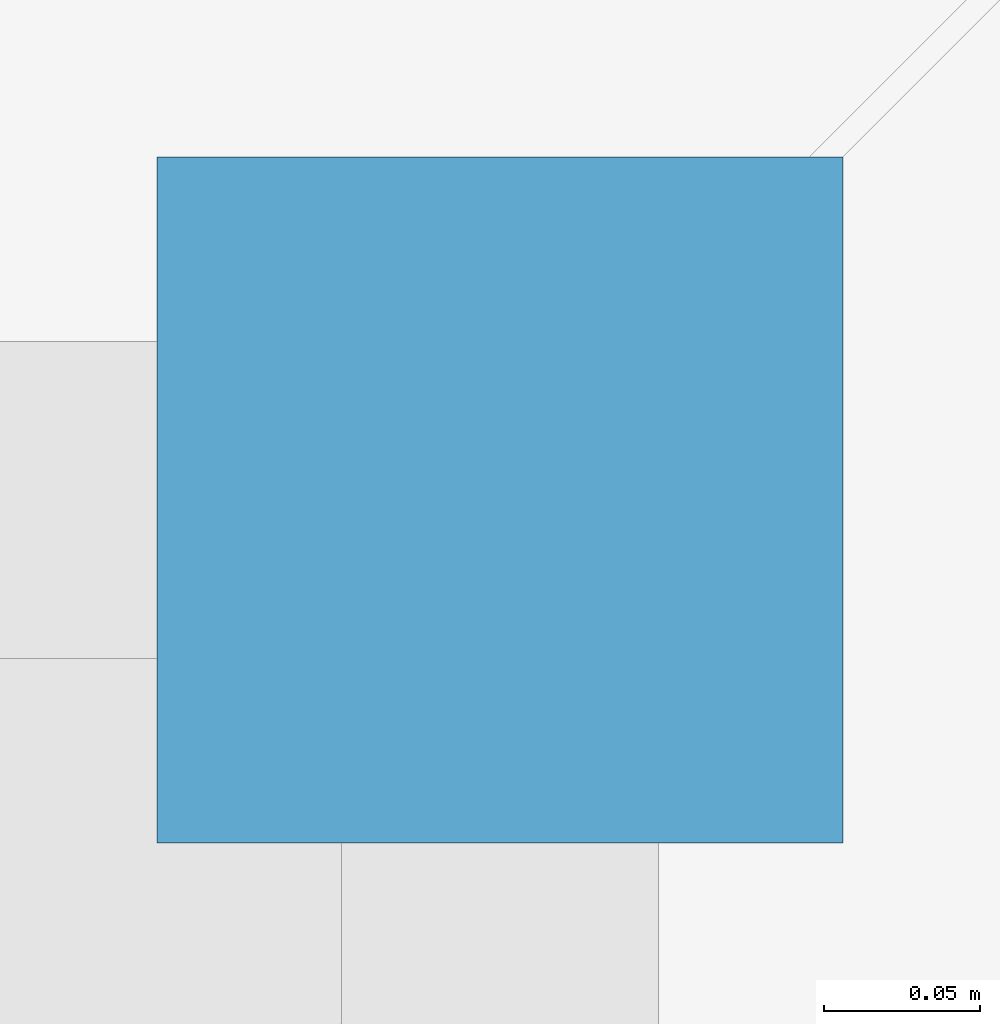
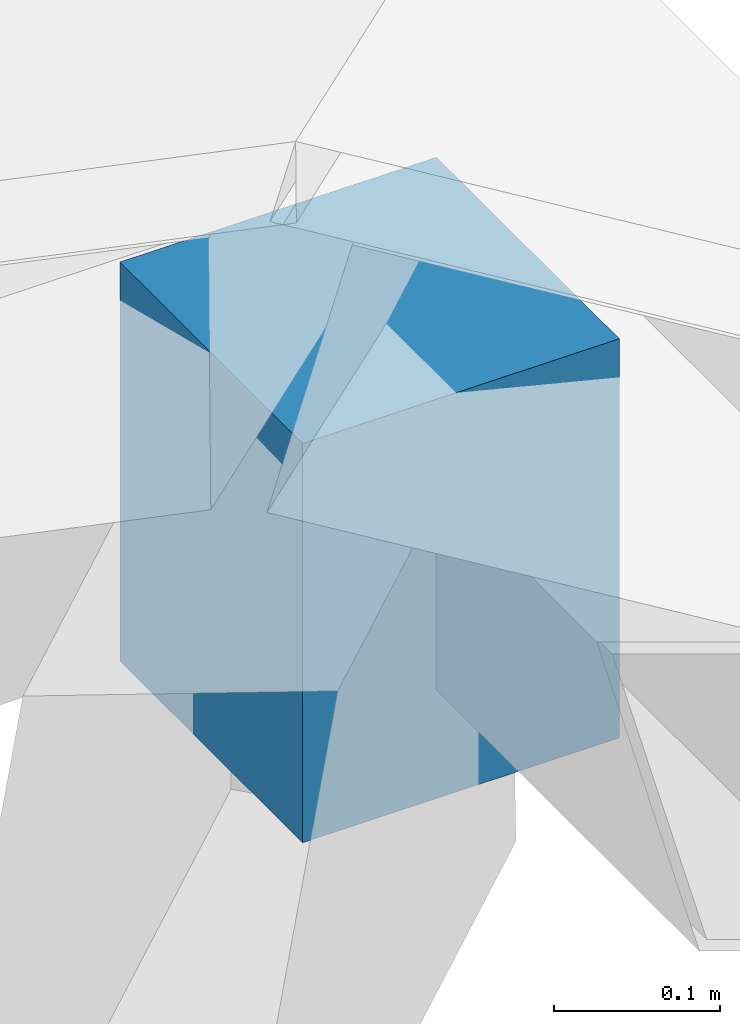
# One storey, part 47 of 51: 1 discrete accessory.
"""IFC4 building model written with IfcOpenShell, lengths in metres."""

from ifc_helpers import new_model, si_unit, direction, frame, origin, origin_2d, place, context, subcontext, project, spatial, rectangle, extrude, material, type_object, element, save


model = new_model("IFC4")

# Units and contexts
model_context = context("Model", 3, precision=1e-05, world=origin(), true_north=direction((0.0, 1.0)))
body_context = subcontext(model_context, "Body", "Model", "MODEL_VIEW")
ifc_project = project(units=[si_unit("LENGTHUNIT", "METRE"), si_unit("AREAUNIT", "SQUARE_METRE"), si_unit("VOLUMEUNIT", "CUBIC_METRE"), si_unit("PLANEANGLEUNIT", "RADIAN"), si_unit("MASSUNIT", "GRAM", prefix="KILO")], contexts=[model_context])

# Site, building, storey
site_placement = place(None, origin())
site = spatial("IfcSite", under=ifc_project, at=site_placement, CompositionType="ELEMENT")
building_placement = place(site_placement, origin())
building = spatial("IfcBuilding", under=site, at=building_placement, Name="Steenspoor Specialist Clinic", CompositionType="ELEMENT")
storey_placement = place(building_placement, frame((0.0, 0.0, 17.39990234375)))
storey = spatial("IfcBuildingStorey", under=building, at=storey_placement, Name="L04", CompositionType="ELEMENT", Elevation=17.39990234375)

# Discrete accessory
ifc_material = material(Name="Galvanised steel mounting bracket", Category="steel")
discrete_accessory_type = type_object("IfcDiscreteAccessoryType", Name="ACC-BRACKET-FIN", PredefinedType="BRACKET", material=ifc_material)
discrete_accessory_placement = place(storey_placement, frame((150.10009765625, 111.35009765625, -0.39794921875), z_axis=(0.0, 0.0, 1.0), x_axis=(1.0, 0.0, 0.0)))
element("IfcDiscreteAccessory", 1, at=discrete_accessory_placement, inside=storey, type_object=discrete_accessory_type, Name="Eave Corner Hip Bracket 349", PredefinedType="BRACKET", context=body_context, shape_type="SweptSolid", body=[
    extrude(rectangle(XDim=0.219970703125, YDim=0.219970703125, at=origin_2d()), origin(), (0.0, 0.0, 1.0), 0.293212890625),
])

save(model, "model.ifc")
